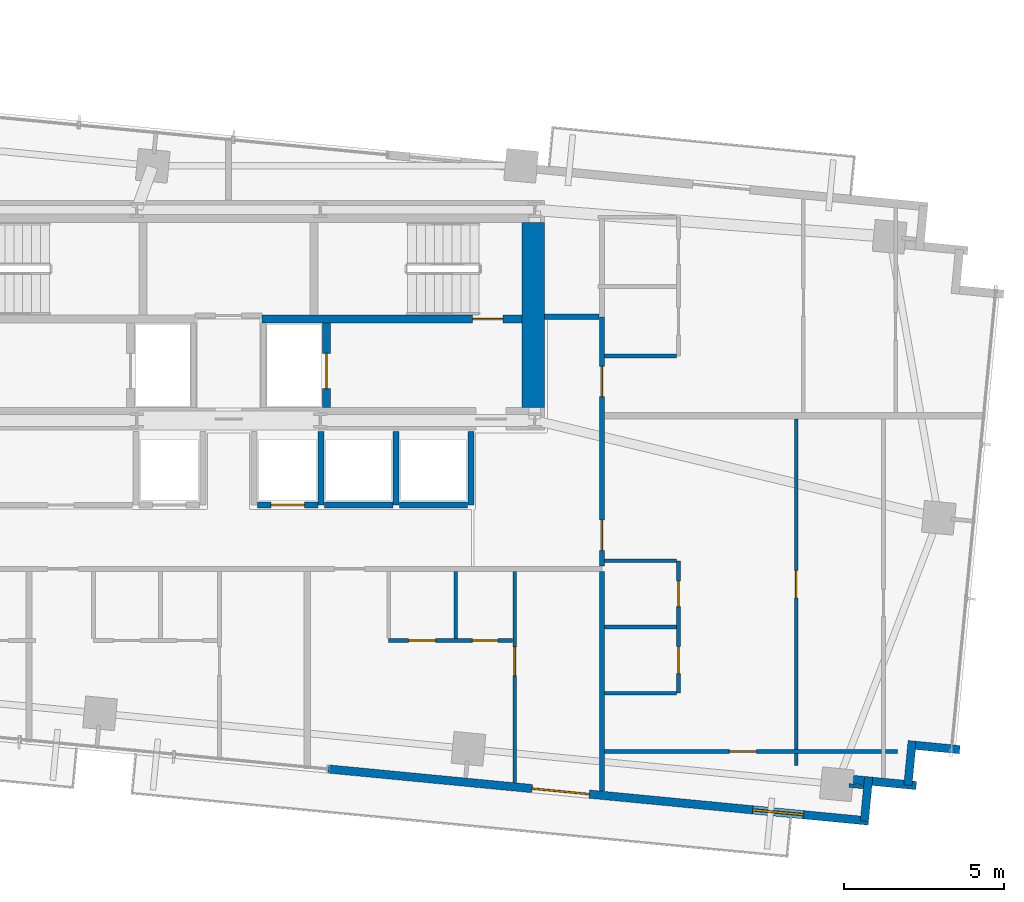
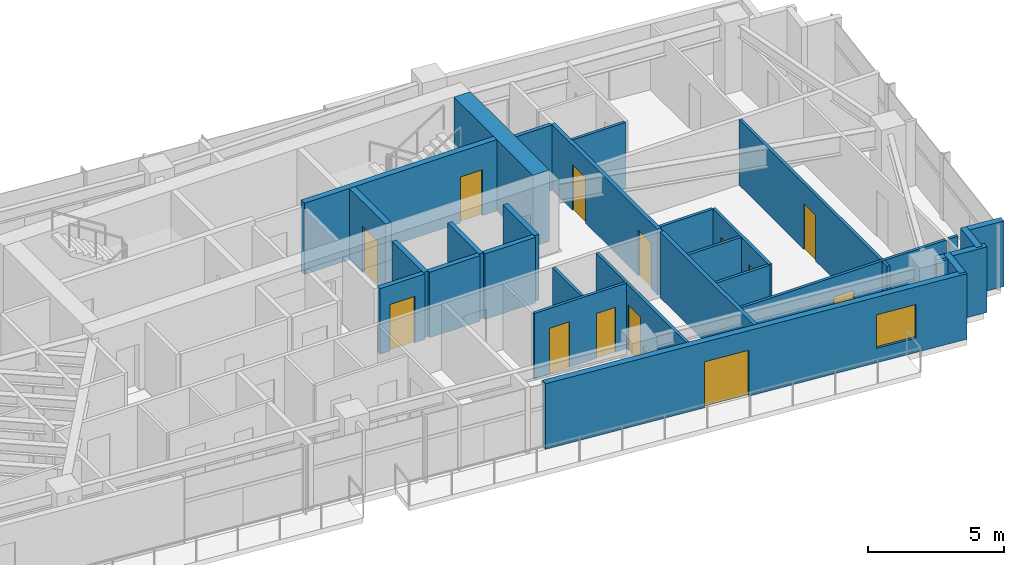
# One storey, part 16 of 19: 30 walls, 13 doors, 1 window, 14 openings.
"""IFC4 building model written with IfcOpenShell, lengths in metres."""

from ifc_helpers import new_model, si_unit, direction, frame, frame_2d, origin, place, context, subcontext, project, spatial, rectangle, extrude, source, transform, mapped, material, layer, layer_set, type_object, type_shapes, element, fill, save


model = new_model("IFC4")

# Units and contexts
model_context = context("Model", 3, precision=1e-05, world=origin(), true_north=direction((0.0, 1.0)))
body_context = subcontext(model_context, "Body", "Model", "MODEL_VIEW")
ifc_project = project(units=[si_unit("LENGTHUNIT", "METRE"), si_unit("AREAUNIT", "SQUARE_METRE"), si_unit("VOLUMEUNIT", "CUBIC_METRE"), si_unit("PLANEANGLEUNIT", "RADIAN"), si_unit("MASSUNIT", "GRAM", prefix="KILO")], contexts=[model_context])

# Site, building, storey
site_placement = place(None, origin())
site = spatial("IfcSite", under=ifc_project, at=site_placement, CompositionType="ELEMENT")
building_placement = place(site_placement, origin())
building = spatial("IfcBuilding", under=site, at=building_placement, Name="Astriad Promenade Condominiums", CompositionType="ELEMENT")
storey_placement = place(building_placement, frame((0.0, 0.0, 147.0)))
storey = spatial("IfcBuildingStorey", under=building, at=storey_placement, Name="L42", CompositionType="ELEMENT", Elevation=147.0)

# Wall
ifc_material_1 = material(Name="Concrete C60/75", Category="concrete")
ifc_layer_1 = layer(ifc_material_1, 0.699951171875)
ifc_layer_set_1 = layer_set([ifc_layer_1], Name="Concrete C60/75")
wall_type_1 = type_object("IfcWallType", Name="CW-SHEAR-700", PredefinedType="SHEAR", material=ifc_layer_set_1)
wall_1_placement = place(storey_placement, frame((45.550048828125, 17.802001953125, 0.0), z_axis=(0.0, 0.0, 1.0), x_axis=(0.0, 1.0, 0.0)))
element("IfcWall", 1, at=wall_1_placement, inside=storey, type_object=wall_type_1, Name="CW-CORE-E-L42", PredefinedType="SHEAR", context=body_context, shape_type="SweptSolid", body=[
    extrude(rectangle(XDim=5.7958984375, YDim=0.699951171875, at=frame_2d((2.89794921875, 0.0))), origin(), (0.0, 0.0, 1.0), 3.199951171875),
])

# Wall, opening, door
ifc_material_2 = material(Name="Concrete C50/60", Category="concrete")
ifc_layer_2 = layer(ifc_material_2, 0.25)
ifc_layer_set_2 = layer_set([ifc_layer_2], Name="Concrete C50/60")
wall_type_2 = type_object("IfcWallType", Name="WALL-CORE-INT-250", PredefinedType="SOLIDWALL", material=ifc_layer_set_2)
wall_2_placement = place(storey_placement, frame((37.050048828125, 20.574951171875, 0.0), z_axis=(0.0, 0.0, 1.0), x_axis=(1.0, 0.0, 0.0)))
wall_2 = element("IfcWall", 2, at=wall_2_placement, inside=storey, type_object=wall_type_2, Name="CW-INT-H2-L42", PredefinedType="SOLIDWALL", context=body_context, shape_type="SweptSolid", body=[
    extrude(rectangle(XDim=8.14794921875, YDim=0.25, at=frame_2d((4.073974609375, 0.0))), origin(), (0.0, 0.0, 1.0), 3.199951171875),
])
opening_1_placement = place(wall_2_placement, frame((6.60009765625, 0.0, 0.0)))
opening_1 = element("IfcOpeningElement", 3, at=opening_1_placement, cuts=wall_2, Name="Opening FD90-ST-095", PredefinedType="OPENING", context=body_context, shape_type="SweptSolid", body=[
    extrude(rectangle(XDim=0.949951171875, YDim=2.06005859375, at=frame_2d((0.47509765625, 1.030029296875))), frame((0.0, 0.135009765625, 0.0), z_axis=(0.0, -1.0, 0.0), x_axis=(1.0, 0.0, 0.0)), (0.0, 0.0, 1.0), 0.27001953125),
])
ifc_material_3 = material(Name="Fire-Rated Hollow Metal Stair Door")
door_type_1 = type_object("IfcDoorType", Name="FD90-ST-095", OperationType="NOTDEFINED", PredefinedType="DOOR", material=ifc_material_3)
shared_shape_1 = source(origin(), body_context, "Body", "SweptSolid", [
    extrude(rectangle(XDim=0.949951171875, YDim=2.06005859375, at=frame_2d((0.47509765625, 1.030029296875))), frame((0.0, 0.02490234375, 0.0), z_axis=(0.0, -1.0, 0.0), x_axis=(1.0, 0.0, 0.0)), (0.0, 0.0, 1.0), 0.050048828125),
])
type_shapes(door_type_1, [shared_shape_1])
door_1_placement = place(opening_1_placement, origin())
door_1 = element("IfcDoor", 4, at=door_1_placement, inside=storey, type_object=door_type_1, Name="D-ST2-L42", OperationType="SINGLE_SWING_LEFT", OverallHeight=2.06005859375, OverallWidth=0.949951171875, PredefinedType="DOOR", context=body_context, shape_type="MappedRepresentation", body=[
    mapped(shared_shape_1, transform((0.0, 0.0, 0.0), scale=1.0)),
])
fill(opening_1, door_1)

wall_3_placement = place(storey_placement, frame((39.074951171875, 17.802001953125, 0.0), z_axis=(0.0, 0.0, 1.0), x_axis=(0.0, 1.0, 0.0)))
wall_3 = element("IfcWall", 5, at=wall_3_placement, inside=storey, type_object=wall_type_2, Name="CW-FFL2-E-L42", PredefinedType="SOLIDWALL", context=body_context, shape_type="SweptSolid", body=[
    extrude(rectangle(XDim=2.64599609375, YDim=0.25, at=frame_2d((1.322998046875, 0.0))), origin(), (0.0, 0.0, 1.0), 3.199951171875),
])
opening_2_placement = place(wall_3_placement, frame((0.597900390625, 0.0, 0.0)))
opening_2 = element("IfcOpeningElement", 6, at=opening_2_placement, cuts=wall_3, Name="Opening LD-FFL-1122", PredefinedType="OPENING", context=body_context, shape_type="SweptSolid", body=[
    extrude(rectangle(XDim=1.10009765625, YDim=2.080078125, at=frame_2d((0.550048828125, 1.0400390625))), frame((0.0, 0.135009765625, 0.0), z_axis=(0.0, -1.0, 0.0), x_axis=(1.0, 0.0, 0.0)), (0.0, 0.0, 1.0), 0.27001953125),
])
ifc_material_4 = material(Name="Brushed Stainless Steel Fire Elevator Landing Door", Category="steel")
door_type_2 = type_object("IfcDoorType", Name="LD-FFL-1122", OperationType="NOTDEFINED", PredefinedType="DOOR", material=ifc_material_4)
shared_shape_2 = source(origin(), body_context, "Body", "SweptSolid", [
    extrude(rectangle(XDim=1.10009765625, YDim=2.080078125, at=frame_2d((0.550048828125, 1.0400390625))), frame((0.0, 0.02490234375, 0.0), z_axis=(0.0, -1.0, 0.0), x_axis=(1.0, 0.0, 0.0)), (0.0, 0.0, 1.0), 0.050048828125),
])
type_shapes(door_type_2, [shared_shape_2])
door_2_placement = place(opening_2_placement, origin())
door_2 = element("IfcDoor", 7, at=door_2_placement, inside=storey, type_object=door_type_2, Name="Elevator Landing Door FFL-2 (L42)", OperationType="SLIDING_TO_RIGHT", OverallHeight=2.080078125, OverallWidth=1.10009765625, PredefinedType="DOOR", context=body_context, shape_type="MappedRepresentation", body=[
    mapped(shared_shape_2, transform((0.0, 0.0, 0.0), scale=1.0)),
])
fill(opening_2, door_2)

# Wall
ifc_material_5 = material(Name="Fire-Rated Gypsum Partition")
ifc_layer_3 = layer(ifc_material_5, 0.159912109375)
ifc_layer_set_3 = layer_set([ifc_layer_3], Name="Fire-Rated Gypsum Partition")
wall_type_3 = type_object("IfcWallType", Name="WALL-CORR-160", PredefinedType="PARTITIONING", material=ifc_layer_set_3)
wall_4_placement = place(storey_placement, frame((47.699951171875, 5.783203125, 0.0), z_axis=(0.0, 0.0, 1.0), x_axis=(0.0, 1.0, 0.0)))
element("IfcWall", 8, at=wall_4_placement, inside=storey, type_object=wall_type_3, Name="PT-COR-E-L42", PredefinedType="PARTITIONING", context=body_context, shape_type="SweptSolid", body=[
    extrude(rectangle(XDim=6.884765625, YDim=0.159912109375, at=frame_2d((3.4423828125, 0.0))), origin(), (0.0, 0.0, 1.0), 2.93994140625),
])

# Wall, openings, doors
wall_5_placement = place(storey_placement, frame((47.699951171875, 12.83203125, 0.0), z_axis=(0.0, 0.0, 1.0), x_axis=(0.0, 1.0, 0.0)))
wall_5 = element("IfcWall", 9, at=wall_5_placement, inside=storey, type_object=wall_type_3, Name="PT-COR-E-L42-S2", PredefinedType="PARTITIONING", context=body_context, shape_type="SweptSolid", body=[
    extrude(rectangle(XDim=7.81787109375, YDim=0.159912109375, at=frame_2d((3.908935546875, 0.0))), origin(), (0.0, 0.0, 1.0), 2.93994140625),
])
opening_3_placement = place(wall_5_placement, frame((0.492919921875, 0.0, 0.0)))
opening_3 = element("IfcOpeningElement", 10, at=opening_3_placement, cuts=wall_5, Name="Opening FD60-APT-095", PredefinedType="OPENING", context=body_context, shape_type="SweptSolid", body=[
    extrude(rectangle(XDim=0.949951171875, YDim=2.06005859375, at=frame_2d((0.47509765625, 1.030029296875))), frame((0.0, 0.08984375, 0.0), z_axis=(0.0, -1.0, 0.0), x_axis=(1.0, 0.0, 0.0)), (0.0, 0.0, 1.0), 0.179931640625),
])
opening_4_placement = place(wall_5_placement, frame((5.31298828125, 0.0, 0.0)))
opening_4 = element("IfcOpeningElement", 11, at=opening_4_placement, cuts=wall_5, Name="Opening FD60-APT-095", PredefinedType="OPENING", context=body_context, shape_type="SweptSolid", body=[
    extrude(rectangle(XDim=0.949951171875, YDim=2.06005859375, at=frame_2d((0.47509765625, 1.030029296875))), frame((0.0, 0.08984375, 0.0), z_axis=(0.0, -1.0, 0.0), x_axis=(1.0, 0.0, 0.0)), (0.0, 0.0, 1.0), 0.179931640625),
])
ifc_material_6 = material(Name="Solid-Core Acoustic Timber Residence Entry Door", Category="wood")
door_type_3 = type_object("IfcDoorType", Name="FD60-APT-095", OperationType="NOTDEFINED", PredefinedType="DOOR", material=ifc_material_6)
shared_shape_3 = source(origin(), body_context, "Body", "SweptSolid", [
    extrude(rectangle(XDim=0.949951171875, YDim=2.06005859375, at=frame_2d((0.47509765625, 1.030029296875))), frame((0.0, 0.02490234375, 0.0), z_axis=(0.0, -1.0, 0.0), x_axis=(1.0, 0.0, 0.0)), (0.0, 0.0, 1.0), 0.050048828125),
])
type_shapes(door_type_3, [shared_shape_3])
door_3_placement = place(opening_3_placement, origin())
door_3 = element("IfcDoor", 12, at=door_3_placement, inside=storey, type_object=door_type_3, Name="D-ENT-L42-E1", OperationType="SINGLE_SWING_RIGHT", OverallHeight=2.06005859375, OverallWidth=0.949951171875, PredefinedType="DOOR", context=body_context, shape_type="MappedRepresentation", body=[
    mapped(shared_shape_3, transform((0.0, 0.0, 0.0), scale=1.0)),
])
fill(opening_3, door_3)
door_4_placement = place(opening_4_placement, origin())
door_4 = element("IfcDoor", 13, at=door_4_placement, inside=storey, type_object=door_type_3, Name="D-ENT-L42-E2", OperationType="SINGLE_SWING_RIGHT", OverallHeight=2.06005859375, OverallWidth=0.949951171875, PredefinedType="DOOR", context=body_context, shape_type="MappedRepresentation", body=[
    mapped(shared_shape_3, transform((0.0, 0.0, 0.0), scale=1.0)),
])
fill(opening_4, door_4)

# Walls
wall_6_placement = place(storey_placement, frame((45.902099609375, 20.64990234375, 0.0), z_axis=(0.0, 0.0, 1.0), x_axis=(1.0, 0.0, 0.0)))
element("IfcWall", 14, at=wall_6_placement, inside=storey, type_object=wall_type_3, Name="PT-Z3E-N-L42", PredefinedType="PARTITIONING", context=body_context, shape_type="SweptSolid", body=[
    extrude(rectangle(XDim=1.7158203125, YDim=0.159912109375, at=frame_2d((0.85791015625, 0.0))), origin(), (0.0, 0.0, 1.0), 2.93994140625),
])
ifc_material_7 = material(Name="Precast concrete C50/60", Category="concrete")
ifc_layer_4 = layer(ifc_material_7, 0.260009765625)
ifc_layer_set_4 = layer_set([ifc_layer_4], Name="Precast concrete C50/60")
wall_type_4 = type_object("IfcWallType", Name="WALL-EXT-TWR-260", PredefinedType="STANDARD", material=ifc_layer_set_4)
for number, where, z_axis, x_axis, name in (
    (15, (58.918701171875, 7.081787109375, 0.0), (0.0, 0.0, 1.0), (-0.995389446633, 0.095915846097, 0.0), "W-SER-L42-14"),
    (16, (57.42822265625, 7.35595703125, 0.0), (0.0, 0.0, 1.0), (-0.095915846097, -0.995389446633, 0.0), "W-SER-L42-15"),
):
    element("IfcWall", number, at=place(storey_placement, frame(where, z_axis=z_axis, x_axis=x_axis)), inside=storey, type_object=wall_type_4, Name=name, PredefinedType="STANDARD", context=body_context, shape_type="SweptSolid", body=[
        extrude(rectangle(XDim=1.394775390625, YDim=0.260009765625, at=frame_2d((0.697265625, 0.0))), origin(), (0.0, 0.0, 1.0), 2.93994140625),
    ])
wall_7_placement = place(storey_placement, frame((57.5546875, 5.95751953125, 0.0), z_axis=(0.0, 0.0, 1.0), x_axis=(-0.995401789159, 0.095787672171, 0.0)))
element("IfcWall", 17, at=wall_7_placement, inside=storey, type_object=wall_type_4, Name="W-SER-L42-16", PredefinedType="STANDARD", context=body_context, shape_type="SweptSolid", body=[
    extrude(rectangle(XDim=1.977783203125, YDim=0.260009765625, at=frame_2d((0.98876953125, 0.0))), origin(), (0.0, 0.0, 1.0), 2.93994140625),
])
wall_8_placement = place(storey_placement, frame((56.064208984375, 6.231689453125, 0.0), z_axis=(0.0, 0.0, 1.0), x_axis=(-0.09589913835, -0.995391056452, 0.0)))
element("IfcWall", 18, at=wall_8_placement, inside=storey, type_object=wall_type_4, Name="W-SER-L42-17", PredefinedType="STANDARD", context=body_context, shape_type="SweptSolid", body=[
    extrude(rectangle(XDim=1.39501953125, YDim=0.260009765625, at=frame_2d((0.697509765625, 0.0))), origin(), (0.0, 0.0, 1.0), 2.93994140625),
])

# Wall, openings, door, window
wall_9_placement = place(storey_placement, frame((56.061279296875, 4.845458984375, 0.0), z_axis=(0.0, 0.0, 1.0), x_axis=(-0.995395976631, 0.095848055311, 0.0)))
wall_9 = element("IfcWall", 19, at=wall_9_placement, inside=storey, type_object=wall_type_4, Name="W-EXT-L42-S1", PredefinedType="STANDARD", context=body_context, shape_type="SweptSolid", body=[
    extrude(rectangle(XDim=17.010009765625, YDim=0.260009765625, at=frame_2d((8.5048828125, 0.0))), origin(), (0.0, 0.0, 1.0), 2.93994140625),
])
opening_5_placement = place(wall_9_placement, frame((8.7939453125, 0.0, 0.0)))
opening_5 = element("IfcOpeningElement", 20, at=opening_5_placement, cuts=wall_9, Name="Opening BD-1822-SLD", PredefinedType="OPENING", context=body_context, shape_type="SweptSolid", body=[
    extrude(rectangle(XDim=1.800048828125, YDim=2.06005859375, at=frame_2d((0.89990234375, 1.030029296875))), frame((0.0, 0.139892578125, 0.0), z_axis=(0.0, -1.0, 0.0), x_axis=(1.0, 0.0, 0.0)), (0.0, 0.0, 1.0), 0.280029296875),
])
opening_6_placement = place(wall_9_placement, frame((2.050048828125, 0.0, 0.64990234375)))
opening_6 = element("IfcOpeningElement", 21, at=opening_6_placement, cuts=wall_9, Name="Opening WIN-TWR-1620", PredefinedType="OPENING", context=body_context, shape_type="SweptSolid", body=[
    extrude(rectangle(XDim=1.60009765625, YDim=1.5, at=frame_2d((0.800048828125, 0.75))), frame((0.0, 0.139892578125, 0.0), z_axis=(0.0, -1.0, 0.0), x_axis=(1.0, 0.0, 0.0)), (0.0, 0.0, 1.0), 0.280029296875),
])
ifc_material_8 = material(Name="Thermally Broken Aluminium Sliding Balcony Door", Category="aluminium")
door_type_4 = type_object("IfcDoorType", Name="BD-1822-SLD", OperationType="NOTDEFINED", PredefinedType="DOOR", material=ifc_material_8)
shared_shape_4 = source(origin(), body_context, "Body", "SweptSolid", [
    extrude(rectangle(XDim=1.800048828125, YDim=2.06005859375, at=frame_2d((0.89990234375, 1.030029296875))), frame((0.0, 0.02490234375, 0.0), z_axis=(0.0, -1.0, 0.0), x_axis=(1.0, 0.0, 0.0)), (0.0, 0.0, 1.0), 0.050048828125),
])
type_shapes(door_type_4, [shared_shape_4])
door_5_placement = place(opening_5_placement, origin())
door_5 = element("IfcDoor", 22, at=door_5_placement, inside=storey, type_object=door_type_4, Name="BD-L42-SE", OperationType="SLIDING_TO_RIGHT", OverallHeight=2.06005859375, OverallWidth=1.800048828125, PredefinedType="DOOR", context=body_context, shape_type="MappedRepresentation", body=[
    mapped(shared_shape_4, transform((0.0, 0.0, 0.0), scale=1.0)),
])
fill(opening_5, door_5)
ifc_material_9 = material(Name="Dark Tinted Triple-Glazed Aluminium Window", Category="aluminium")
window_type = type_object("IfcWindowType", Name="WIN-TWR-1620", PartitioningType="SINGLE_PANEL", PredefinedType="WINDOW", material=ifc_material_9)
shared_shape_5 = source(origin(), body_context, "Body", "SweptSolid", [
    extrude(rectangle(XDim=1.60009765625, YDim=1.5, at=frame_2d((0.800048828125, 0.75))), frame((0.0, 0.030029296875, 0.0), z_axis=(0.0, -1.0, 0.0), x_axis=(1.0, 0.0, 0.0)), (0.0, 0.0, 1.0), 0.06005859375),
])
type_shapes(window_type, [shared_shape_5])
window_placement = place(opening_6_placement, origin())
window = element("IfcWindow", 23, at=window_placement, inside=storey, type_object=window_type, Name="WIN-L42-SE", OverallHeight=1.5, OverallWidth=1.60009765625, PartitioningType="SINGLE_PANEL", PredefinedType="WINDOW", context=body_context, shape_type="MappedRepresentation", body=[
    mapped(shared_shape_5, transform((0.0, 0.0, 0.0), scale=1.0)),
])
fill(opening_6, window)

# Wall, opening, door
ifc_material_10 = material(Name="Acoustic Metal-Stud Gypsum Partition")
ifc_layer_5 = layer(ifc_material_10, 0.1201171875)
ifc_layer_set_5 = layer_set([ifc_layer_5], Name="Acoustic Metal-Stud Gypsum Partition")
wall_type_5 = type_object("IfcWallType", Name="WALL-PART-120", PredefinedType="PARTITIONING", material=ifc_layer_set_5)
wall_10_placement = place(storey_placement, frame((44.969970703125, 6.046142578125, 0.0), z_axis=(0.0, 0.0, 1.0), x_axis=(0.0, 1.0, 0.0)))
wall_10 = element("IfcWall", 24, at=wall_10_placement, inside=storey, type_object=wall_type_5, Name="PT-L42-S3-BD1", PredefinedType="PARTITIONING", context=body_context, shape_type="SweptSolid", body=[
    extrude(rectangle(XDim=6.621826171875, YDim=0.1201171875, at=frame_2d((3.31103515625, 0.0))), origin(), (0.0, 0.0, 1.0), 2.93994140625),
])
opening_7_placement = place(wall_10_placement, frame((3.35400390625, 0.0, 0.0)))
opening_7 = element("IfcOpeningElement", 25, at=opening_7_placement, cuts=wall_10, Name="Opening D-INT-090", PredefinedType="OPENING", context=body_context, shape_type="SweptSolid", body=[
    extrude(rectangle(XDim=0.89990234375, YDim=2.050048828125, at=frame_2d((0.449951171875, 1.02490234375))), frame((0.0, 0.070068359375, 0.0), z_axis=(0.0, -1.0, 0.0), x_axis=(1.0, 0.0, 0.0)), (0.0, 0.0, 1.0), 0.14013671875),
])
ifc_material_11 = material(Name="Painted Solid-Core Timber Bedroom Door", Category="wood")
door_type_5 = type_object("IfcDoorType", Name="D-INT-090", OperationType="NOTDEFINED", PredefinedType="DOOR", material=ifc_material_11)
shared_shape_6 = source(origin(), body_context, "Body", "SweptSolid", [
    extrude(rectangle(XDim=0.89990234375, YDim=2.050048828125, at=frame_2d((0.449951171875, 1.02490234375))), frame((0.0, 0.02490234375, 0.0), z_axis=(0.0, -1.0, 0.0), x_axis=(1.0, 0.0, 0.0)), (0.0, 0.0, 1.0), 0.050048828125),
])
type_shapes(door_type_5, [shared_shape_6])
door_6_placement = place(opening_7_placement, origin())
door_6 = element("IfcDoor", 26, at=door_6_placement, inside=storey, type_object=door_type_5, Name="D-BD1-L42-S3", OperationType="SINGLE_SWING_RIGHT", OverallHeight=2.050048828125, OverallWidth=0.89990234375, PredefinedType="DOOR", context=body_context, shape_type="MappedRepresentation", body=[
    mapped(shared_shape_6, transform((0.0, 0.0, 0.0), scale=1.0)),
])
fill(opening_7, door_6)

# Wall, openings, doors
wall_11_placement = place(storey_placement, frame((41.02001953125, 10.5, 0.0), z_axis=(0.0, 0.0, 1.0), x_axis=(1.0, 0.0, 0.0)))
wall_11 = element("IfcWall", 27, at=wall_11_placement, inside=storey, type_object=wall_type_5, Name="PT-L42-S3-PS", PredefinedType="PARTITIONING", context=body_context, shape_type="SweptSolid", body=[
    extrude(rectangle(XDim=3.887939453125, YDim=0.1201171875, at=frame_2d((1.94384765625, 0.0))), origin(), (0.0, 0.0, 1.0), 2.93994140625),
])
opening_8_placement = place(wall_11_placement, frame((0.625, 0.0, 0.0)))
opening_8 = element("IfcOpeningElement", 28, at=opening_8_placement, cuts=wall_11, Name="Opening D-INT-085", PredefinedType="OPENING", context=body_context, shape_type="SweptSolid", body=[
    extrude(rectangle(XDim=0.85009765625, YDim=2.050048828125, at=frame_2d((0.425048828125, 1.02490234375))), frame((0.0, 0.070068359375, 0.0), z_axis=(0.0, -1.0, 0.0), x_axis=(1.0, 0.0, 0.0)), (0.0, 0.0, 1.0), 0.14013671875),
])
opening_9_placement = place(wall_11_placement, frame((2.625, 0.0, 0.0)))
opening_9 = element("IfcOpeningElement", 29, at=opening_9_placement, cuts=wall_11, Name="Opening D-WET-080", PredefinedType="OPENING", context=body_context, shape_type="SweptSolid", body=[
    extrude(rectangle(XDim=0.800048828125, YDim=2.02001953125, at=frame_2d((0.39990234375, 1.010009765625))), frame((0.0, 0.070068359375, 0.0), z_axis=(0.0, -1.0, 0.0), x_axis=(1.0, 0.0, 0.0)), (0.0, 0.0, 1.0), 0.14013671875),
])
ifc_material_12 = material(Name="Moisture-Resistant Timber Bathroom Door", Category="wood")
door_type_6 = type_object("IfcDoorType", Name="D-WET-080", OperationType="NOTDEFINED", PredefinedType="DOOR", material=ifc_material_12)
shared_shape_7 = source(origin(), body_context, "Body", "SweptSolid", [
    extrude(rectangle(XDim=0.800048828125, YDim=2.02001953125, at=frame_2d((0.39990234375, 1.010009765625))), frame((0.0, 0.02490234375, 0.0), z_axis=(0.0, -1.0, 0.0), x_axis=(1.0, 0.0, 0.0)), (0.0, 0.0, 1.0), 0.050048828125),
])
type_shapes(door_type_6, [shared_shape_7])
door_7_placement = place(opening_9_placement, origin())
door_7 = element("IfcDoor", 30, at=door_7_placement, inside=storey, type_object=door_type_6, Name="D-BTH-L42-S3", OperationType="SINGLE_SWING_RIGHT", OverallHeight=2.02001953125, OverallWidth=0.800048828125, PredefinedType="DOOR", context=body_context, shape_type="MappedRepresentation", body=[
    mapped(shared_shape_7, transform((0.0, 0.0, 0.0), scale=1.0)),
])
fill(opening_9, door_7)
ifc_material_13 = material(Name="Painted Solid-Core Timber Room Door", Category="wood")
door_type_7 = type_object("IfcDoorType", Name="D-INT-085", OperationType="NOTDEFINED", PredefinedType="DOOR", material=ifc_material_13)
shared_shape_8 = source(origin(), body_context, "Body", "SweptSolid", [
    extrude(rectangle(XDim=0.85009765625, YDim=2.050048828125, at=frame_2d((0.425048828125, 1.02490234375))), frame((0.0, 0.02490234375, 0.0), z_axis=(0.0, -1.0, 0.0), x_axis=(1.0, 0.0, 0.0)), (0.0, 0.0, 1.0), 0.050048828125),
])
type_shapes(door_type_7, [shared_shape_8])
door_8_placement = place(opening_8_placement, origin())
door_8 = element("IfcDoor", 31, at=door_8_placement, inside=storey, type_object=door_type_7, Name="D-KIT-L42-S3", OperationType="SINGLE_SWING_LEFT", OverallHeight=2.050048828125, OverallWidth=0.85009765625, PredefinedType="DOOR", context=body_context, shape_type="MappedRepresentation", body=[
    mapped(shared_shape_8, transform((0.0, 0.0, 0.0), scale=1.0)),
])
fill(opening_8, door_8)

# Wall
wall_12_placement = place(storey_placement, frame((43.1201171875, 10.56201171875, 0.0), z_axis=(0.0, 0.0, 1.0), x_axis=(0.0, 1.0, 0.0)))
element("IfcWall", 32, at=wall_12_placement, inside=storey, type_object=wall_type_5, Name="PT-L42-S3-PBK", PredefinedType="PARTITIONING", context=body_context, shape_type="SweptSolid", body=[
    extrude(rectangle(XDim=2.10595703125, YDim=0.1201171875, at=frame_2d((1.052978515625, 0.0))), origin(), (0.0, 0.0, 1.0), 2.93994140625),
])

# Wall, openings, doors
wall_13_placement = place(storey_placement, frame((50.10009765625, 8.85009765625, 0.0), z_axis=(0.0, 0.0, 1.0), x_axis=(0.0, 1.0, 0.0)))
wall_13 = element("IfcWall", 33, at=wall_13_placement, inside=storey, type_object=wall_type_5, Name="PT-L42-E1-PV", PredefinedType="PARTITIONING", context=body_context, shape_type="SweptSolid", body=[
    extrude(rectangle(XDim=4.14990234375, YDim=0.1201171875, at=frame_2d((2.074951171875, 0.0))), origin(), (0.0, 0.0, 1.0), 2.93994140625),
])
opening_10_placement = place(wall_13_placement, frame((0.612060546875, 0.0, 0.0)))
opening_10 = element("IfcOpeningElement", 34, at=opening_10_placement, cuts=wall_13, Name="Opening D-INT-085", PredefinedType="OPENING", context=body_context, shape_type="SweptSolid", body=[
    extrude(rectangle(XDim=0.85009765625, YDim=2.050048828125, at=frame_2d((0.425048828125, 1.02490234375))), frame((0.0, 0.070068359375, 0.0), z_axis=(0.0, -1.0, 0.0), x_axis=(1.0, 0.0, 0.0)), (0.0, 0.0, 1.0), 0.14013671875),
])
opening_11_placement = place(wall_13_placement, frame((2.712890625, 0.0, 0.0)))
opening_11 = element("IfcOpeningElement", 35, at=opening_11_placement, cuts=wall_13, Name="Opening D-WET-080", PredefinedType="OPENING", context=body_context, shape_type="SweptSolid", body=[
    extrude(rectangle(XDim=0.800048828125, YDim=2.02001953125, at=frame_2d((0.39990234375, 1.010009765625))), frame((0.0, 0.070068359375, 0.0), z_axis=(0.0, -1.0, 0.0), x_axis=(1.0, 0.0, 0.0)), (0.0, 0.0, 1.0), 0.14013671875),
])
door_9_placement = place(opening_11_placement, origin())
door_9 = element("IfcDoor", 36, at=door_9_placement, inside=storey, type_object=door_type_6, Name="D-BTH-L42-E1", OperationType="SINGLE_SWING_RIGHT", OverallHeight=2.02001953125, OverallWidth=0.800048828125, PredefinedType="DOOR", context=body_context, shape_type="MappedRepresentation", body=[
    mapped(shared_shape_7, transform((0.0, 0.0, 0.0), scale=1.0)),
])
fill(opening_11, door_9)
door_10_placement = place(opening_10_placement, origin())
door_10 = element("IfcDoor", 37, at=door_10_placement, inside=storey, type_object=door_type_7, Name="D-KIT-L42-E1", OperationType="SINGLE_SWING_LEFT", OverallHeight=2.050048828125, OverallWidth=0.85009765625, PredefinedType="DOOR", context=body_context, shape_type="MappedRepresentation", body=[
    mapped(shared_shape_8, transform((0.0, 0.0, 0.0), scale=1.0)),
])
fill(opening_10, door_10)

# Walls
for number, where, z_axis, x_axis, name in (
    (38, (47.781982421875, 10.925048828125, 0.0), (0.0, 0.0, 1.0), (1.0, 0.0, 0.0), "PT-L42-E1-PM"),
    (39, (47.781982421875, 8.85009765625, 0.0), (0.0, 0.0, 1.0), (1.0, 0.0, 0.0), "PT-L42-E1-PS"),
    (40, (47.781982421875, 13.0, 0.0), (0.0, 0.0, 1.0), (1.0, 0.0, 0.0), "PT-L42-E1-PN"),
):
    element("IfcWall", number, at=place(storey_placement, frame(where, z_axis=z_axis, x_axis=x_axis)), inside=storey, type_object=wall_type_5, Name=name, PredefinedType="PARTITIONING", context=body_context, shape_type="SweptSolid", body=[
        extrude(rectangle(XDim=2.256103515625, YDim=0.1201171875, at=frame_2d((1.1279296875, 0.0))), origin(), (0.0, 0.0, 1.0), 2.93994140625),
    ])

# Wall, opening, door
wall_14_placement = place(storey_placement, frame((47.781982421875, 7.01904296875, 0.0), z_axis=(0.0, 0.0, 1.0), x_axis=(1.0, 0.0, 0.0)))
wall_14 = element("IfcWall", 41, at=wall_14_placement, inside=storey, type_object=wall_type_5, Name="PT-L42-E1-WDS1", PredefinedType="PARTITIONING", context=body_context, shape_type="SweptSolid", body=[
    extrude(rectangle(XDim=8.68212890625, YDim=0.1201171875, at=frame_2d((4.341064453125, 0.0))), origin(), (0.0, 0.0, 1.0), 2.93994140625),
])
opening_12_placement = place(wall_14_placement, frame((3.916015625, 0.0, 0.0)))
opening_12 = element("IfcOpeningElement", 42, at=opening_12_placement, cuts=wall_14, Name="Opening D-INT-085", PredefinedType="OPENING", context=body_context, shape_type="SweptSolid", body=[
    extrude(rectangle(XDim=0.85009765625, YDim=2.050048828125, at=frame_2d((0.425048828125, 1.02490234375))), frame((0.0, 0.070068359375, 0.0), z_axis=(0.0, -1.0, 0.0), x_axis=(1.0, 0.0, 0.0)), (0.0, 0.0, 1.0), 0.14013671875),
])
door_11_placement = place(opening_12_placement, origin())
door_11 = element("IfcDoor", 43, at=door_11_placement, inside=storey, type_object=door_type_7, Name="D-WDS1-L42-E1", OperationType="SINGLE_SWING_RIGHT", OverallHeight=2.050048828125, OverallWidth=0.85009765625, PredefinedType="DOOR", context=body_context, shape_type="MappedRepresentation", body=[
    mapped(shared_shape_8, transform((0.0, 0.0, 0.0), scale=1.0)),
])
fill(opening_12, door_11)

# Walls
wall_15_placement = place(storey_placement, frame((56.587890625, 7.01904296875, 0.0), z_axis=(0.0, 0.0, 1.0), x_axis=(1.0, 0.0, 0.0)))
element("IfcWall", 44, at=wall_15_placement, inside=storey, type_object=wall_type_5, Name="PT-L42-E1-WDS1-S2", PredefinedType="PARTITIONING", context=body_context, shape_type="SweptSolid", body=[
    extrude(rectangle(XDim=0.378173828125, YDim=0.1201171875, at=frame_2d((0.18896484375, 0.0))), origin(), (0.0, 0.0, 1.0), 2.93994140625),
])
wall_16_placement = place(storey_placement, frame((53.7919921875, 6.5791015625, 0.0), z_axis=(0.0, 0.0, 1.0), x_axis=(0.0, 1.0, 0.0)))
element("IfcWall", 45, at=wall_16_placement, inside=storey, type_object=wall_type_5, Name="PT-L42-E1-WDV2", PredefinedType="PARTITIONING", context=body_context, shape_type="SweptSolid", body=[
    extrude(rectangle(XDim=0.3779296875, YDim=0.1201171875, at=frame_2d((0.18896484375, 0.0))), origin(), (0.0, 0.0, 1.0), 2.93994140625),
])

# Wall, opening, door
wall_17_placement = place(storey_placement, frame((53.7919921875, 7.0810546875, 0.0), z_axis=(0.0, 0.0, 1.0), x_axis=(0.0, 1.0, 0.0)))
wall_17 = element("IfcWall", 46, at=wall_17_placement, inside=storey, type_object=wall_type_5, Name="PT-L42-E1-WDV2-S2", PredefinedType="PARTITIONING", context=body_context, shape_type="SweptSolid", body=[
    extrude(rectangle(XDim=10.366943359375, YDim=0.1201171875, at=frame_2d((5.18359375, 0.0))), origin(), (0.0, 0.0, 1.0), 2.93994140625),
])
opening_13_placement = place(wall_17_placement, frame((4.758056640625, 0.0, 0.0)))
opening_13 = element("IfcOpeningElement", 47, at=opening_13_placement, cuts=wall_17, Name="Opening D-INT-085", PredefinedType="OPENING", context=body_context, shape_type="SweptSolid", body=[
    extrude(rectangle(XDim=0.85009765625, YDim=2.050048828125, at=frame_2d((0.425048828125, 1.02490234375))), frame((0.0, 0.070068359375, 0.0), z_axis=(0.0, -1.0, 0.0), x_axis=(1.0, 0.0, 0.0)), (0.0, 0.0, 1.0), 0.14013671875),
])
door_12_placement = place(opening_13_placement, origin())
door_12 = element("IfcDoor", 48, at=door_12_placement, inside=storey, type_object=door_type_7, Name="D-WDV2-L42-E1", OperationType="SINGLE_SWING_LEFT", OverallHeight=2.050048828125, OverallWidth=0.85009765625, PredefinedType="DOOR", context=body_context, shape_type="MappedRepresentation", body=[
    mapped(shared_shape_8, transform((0.0, 0.0, 0.0), scale=1.0)),
])
fill(opening_13, door_12)

# Walls
wall_18_placement = place(storey_placement, frame((47.781982421875, 19.419921875, 0.0), z_axis=(0.0, 0.0, 1.0), x_axis=(1.0, 0.0, 0.0)))
element("IfcWall", 49, at=wall_18_placement, inside=storey, type_object=wall_type_5, Name="PT-L42-E2-PS", PredefinedType="PARTITIONING", context=body_context, shape_type="SweptSolid", body=[
    extrude(rectangle(XDim=2.256103515625, YDim=0.1201171875, at=frame_2d((1.1279296875, 0.0))), origin(), (0.0, 0.0, 1.0), 2.93994140625),
])
wall_19_placement = place(storey_placement, frame((55.4453125, 5.959716796875, 0.0), z_axis=(0.0, 0.0, 1.0), x_axis=(0.995384576284, -0.09596637586, 0.0)))
element("IfcWall", 50, at=wall_19_placement, inside=storey, type_object=wall_type_5, Name="PT-PIL-L42-PC05-12", PredefinedType="PARTITIONING", context=body_context, shape_type="SweptSolid", body=[
    extrude(rectangle(XDim=0.4580078125, YDim=0.1201171875, at=frame_2d((0.22900390625, 0.0))), origin(), (0.0, 0.0, 1.0), 2.93994140625),
])
ifc_material_14 = material(Name="Gypsum Shaftliner Assembly")
ifc_layer_6 = layer(ifc_material_14, 0.199951171875)
ifc_layer_set_6 = layer_set([ifc_layer_6], Name="Gypsum Shaftliner Assembly")
wall_type_6 = type_object("IfcWallType", Name="WALL-SHAFT-200", PredefinedType="PARTITIONING", material=ifc_layer_set_6)
wall_20_placement = place(storey_placement, frame((38.89990234375, 14.75, 0.0), z_axis=(0.0, 0.0, 1.0), x_axis=(0.0, 1.0, 0.0)))
element("IfcWall", 51, at=wall_20_placement, inside=storey, type_object=wall_type_6, Name="PL-MH-DIV-L42", PredefinedType="PARTITIONING", context=body_context, shape_type="SweptSolid", body=[
    extrude(rectangle(XDim=2.300048828125, YDim=0.199951171875, at=frame_2d((1.14990234375, 0.0))), origin(), (0.0, 0.0, 1.0), 2.93994140625),
])

# Wall, opening, door
wall_21_placement = place(storey_placement, frame((36.902099609375, 14.75, 0.0), z_axis=(0.0, 0.0, 1.0), x_axis=(1.0, 0.0, 0.0)))
wall_21 = element("IfcWall", 52, at=wall_21_placement, inside=storey, type_object=wall_type_6, Name="PL-M2-F-L42", PredefinedType="PARTITIONING", context=body_context, shape_type="SweptSolid", body=[
    extrude(rectangle(XDim=1.89599609375, YDim=0.199951171875, at=frame_2d((0.947998046875, 0.0))), origin(), (0.0, 0.0, 1.0), 2.93994140625),
])
opening_14_placement = place(wall_21_placement, frame((0.423095703125, 0.0, 0.0)))
opening_14 = element("IfcOpeningElement", 53, at=opening_14_placement, cuts=wall_21, Name="Opening LD-PL-10522", PredefinedType="OPENING", context=body_context, shape_type="SweptSolid", body=[
    extrude(rectangle(XDim=1.050048828125, YDim=2.080078125, at=frame_2d((0.52490234375, 1.0400390625))), frame((0.0, 0.10986328125, 0.0), z_axis=(0.0, -1.0, 0.0), x_axis=(1.0, 0.0, 0.0)), (0.0, 0.0, 1.0), 0.219970703125),
])
ifc_material_15 = material(Name="Brushed Bronze Passenger Elevator Landing Door")
door_type_8 = type_object("IfcDoorType", Name="LD-PL-10522", OperationType="NOTDEFINED", PredefinedType="DOOR", material=ifc_material_15)
shared_shape_9 = source(origin(), body_context, "Body", "SweptSolid", [
    extrude(rectangle(XDim=1.050048828125, YDim=2.080078125, at=frame_2d((0.52490234375, 1.0400390625))), frame((0.0, 0.02490234375, 0.0), z_axis=(0.0, -1.0, 0.0), x_axis=(1.0, 0.0, 0.0)), (0.0, 0.0, 1.0), 0.050048828125),
])
type_shapes(door_type_8, [shared_shape_9])
door_13_placement = place(opening_14_placement, origin())
door_13 = element("IfcDoor", 54, at=door_13_placement, inside=storey, type_object=door_type_8, Name="Elevator Landing Door PL-M2 (L42)", OperationType="SLIDING_TO_RIGHT", OverallHeight=2.080078125, OverallWidth=1.050048828125, PredefinedType="DOOR", context=body_context, shape_type="MappedRepresentation", body=[
    mapped(shared_shape_9, transform((0.0, 0.0, 0.0), scale=1.0)),
])
fill(opening_14, door_13)

# Walls
for number, where, z_axis, x_axis, name in (
    (55, (41.25, 14.75, 0.0), (0.0, 0.0, 1.0), (0.0, 1.0, 0.0), "PL-H-DIV-L42"),
    (56, (43.60009765625, 14.75, 0.0), (0.0, 0.0, 1.0), (0.0, 1.0, 0.0), "PL-E-OUT-L42"),
):
    element("IfcWall", number, at=place(storey_placement, frame(where, z_axis=z_axis, x_axis=x_axis)), inside=storey, type_object=wall_type_6, Name=name, PredefinedType="PARTITIONING", context=body_context, shape_type="SweptSolid", body=[
        extrude(rectangle(XDim=2.300048828125, YDim=0.199951171875, at=frame_2d((1.14990234375, 0.0))), origin(), (0.0, 0.0, 1.0), 2.93994140625),
    ])
for number, where, z_axis, x_axis, name in (
    (57, (39.001953125, 14.75, 0.0), (0.0, 0.0, 1.0), (1.0, 0.0, 0.0), "PL-H-FRT-L42"),
    (58, (41.35205078125, 14.75, 0.0), (0.0, 0.0, 1.0), (1.0, 0.0, 0.0), "PL-H-FRT-L42-S2"),
):
    element("IfcWall", number, at=place(storey_placement, frame(where, z_axis=z_axis, x_axis=x_axis)), inside=storey, type_object=wall_type_6, Name=name, PredefinedType="PARTITIONING", context=body_context, shape_type="SweptSolid", body=[
        extrude(rectangle(XDim=2.14599609375, YDim=0.199951171875, at=frame_2d((1.072998046875, 0.0))), origin(), (0.0, 0.0, 1.0), 2.93994140625),
    ])

save(model, "model.ifc")
